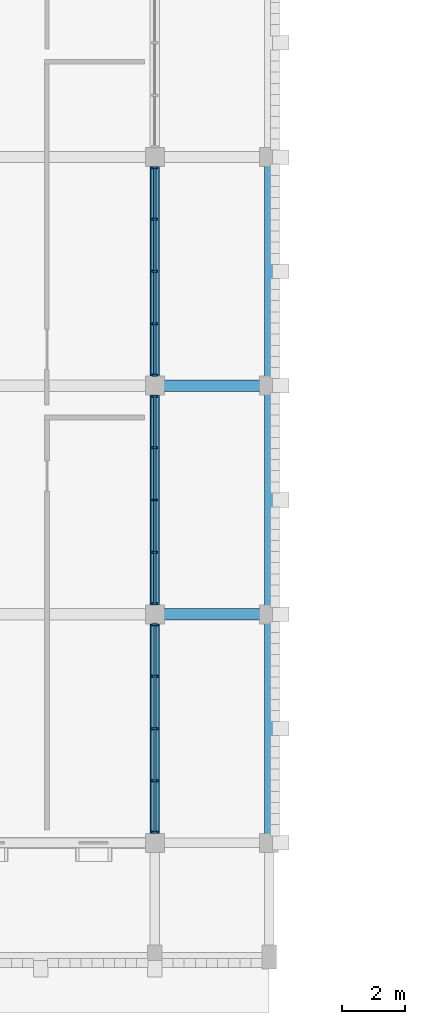
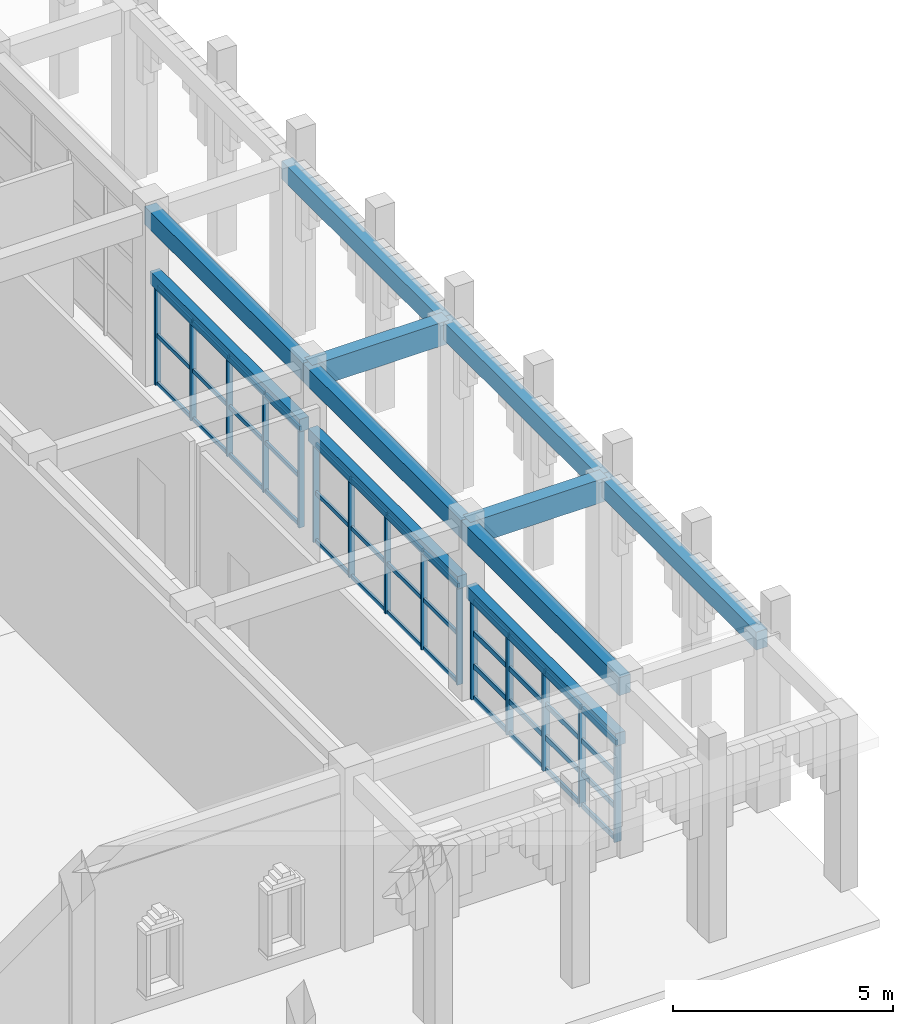
# One storey, part 3 of 72: 55 members, 11 beams, 3 elements without a shape of their own.
"""IFC4 building model written with IfcOpenShell, lengths in metres."""

from ifc_helpers import new_model, si_unit, direction, frame, origin, origin_2d, place, context, subcontext, project, spatial, rectangle, extrude, material, material_profile, profile_set, type_object, element, aggregate, save


model = new_model("IFC4")

# Units and contexts
model_context = context("Model", 3, precision=1e-05, world=origin(), true_north=direction((0.0, 1.0)))
body_context = subcontext(model_context, "Body", "Model", "MODEL_VIEW")
ifc_project = project(units=[si_unit("LENGTHUNIT", "METRE"), si_unit("AREAUNIT", "SQUARE_METRE"), si_unit("VOLUMEUNIT", "CUBIC_METRE"), si_unit("PLANEANGLEUNIT", "RADIAN"), si_unit("MASSUNIT", "GRAM", prefix="KILO")], contexts=[model_context])

# Site, building, storey
site_placement = place(None, origin())
site = spatial("IfcSite", under=ifc_project, at=site_placement, CompositionType="ELEMENT")
building_placement = place(site_placement, origin())
building = spatial("IfcBuilding", under=site, at=building_placement, Name="Nzembalo Square Collegiate School", CompositionType="ELEMENT")
storey_placement = place(building_placement, origin())
storey = spatial("IfcBuildingStorey", under=building, at=storey_placement, Name="L00", CompositionType="ELEMENT", Elevation=0.0)

# Beams
ifc_material_1 = material(Name="Concrete C35/45", Category="concrete")
ifc_material_profile_1 = material_profile(ifc_material_1, rectangle(XDim=0.35009765625, YDim=0.64990234375, at=origin_2d()), Name="RC 350x650")
ifc_profile_set_1 = profile_set([ifc_material_profile_1], Name="Concrete C35/45")
beam_type_1 = type_object("IfcBeamType", Name="B01", PredefinedType="BEAM", material=ifc_profile_set_1)
for number, where, z_axis, x_axis, name in (
    (1, (37.199951171875, 15.60009765625, 4.465087890625), (1.0, 0.0, 0.0), (0.0, 1.0, 0.0), "Beam B01 L00"),
    (2, (37.199951171875, 22.800048828125, 4.465087890625), (1.0, 0.0, 0.0), (0.0, 1.0, 0.0), "Beam B01 L00"),
):
    element("IfcBeam", number, at=place(storey_placement, frame(where, z_axis=z_axis, x_axis=x_axis)), inside=storey, type_object=beam_type_1, Name=name, PredefinedType="BEAM", context=body_context, shape_type="SweptSolid", body=[
        extrude(rectangle(XDim=0.35009765625, YDim=0.64990234375, at=origin_2d()), origin(), (0.0, 0.0, 1.0), 3.60009765625),
    ])
ifc_material_2 = material(Name="Concrete C35/45", Category="concrete")
ifc_material_profile_2 = material_profile(ifc_material_2, rectangle(XDim=0.300048828125, YDim=0.5, at=origin_2d()), Name="RC 300x500")
ifc_profile_set_2 = profile_set([ifc_material_profile_2], Name="Concrete C35/45")
beam_type_2 = type_object("IfcBeamType", Name="B02", PredefinedType="BEAM", material=ifc_profile_set_2)
beam_1_placement = place(storey_placement, frame((40.800048828125, 8.39990234375, 4.5400390625), z_axis=(0.0, 1.0, 0.0), x_axis=(-1.0, 0.0, 0.0)))
element("IfcBeam", 3, at=beam_1_placement, inside=storey, type_object=beam_type_2, Name="Beam B02 L00", PredefinedType="BEAM", context=body_context, shape_type="SweptSolid", body=[
    extrude(rectangle(XDim=0.300048828125, YDim=0.5, at=origin_2d()), origin(), (0.0, 0.0, 1.0), 7.2001953125),
])
for number, where, z_axis, x_axis, name in (
    (4, (40.800048828125, 15.60009765625, 4.5400390625), (0.0, 1.0, 0.0), (-1.0, 0.0, 0.0), "Beam B02 L00"),
    (5, (40.800048828125, 22.800048828125, 4.5400390625), (0.0, 1.0, 0.0), (-1.0, 0.0, 0.0), "Beam B02 L00"),
):
    element("IfcBeam", number, at=place(storey_placement, frame(where, z_axis=z_axis, x_axis=x_axis)), inside=storey, type_object=beam_type_2, Name=name, PredefinedType="BEAM", context=body_context, shape_type="SweptSolid", body=[
        extrude(rectangle(XDim=0.300048828125, YDim=0.5, at=origin_2d()), origin(), (0.0, 0.0, 1.0), 7.199951171875),
    ])
ifc_material_3 = material(Name="Concrete C35/45", Category="concrete")
ifc_material_profile_3 = material_profile(ifc_material_3, rectangle(XDim=0.25, YDim=0.35009765625, at=origin_2d()), Name="RC 250x350")
ifc_profile_set_3 = profile_set([ifc_material_profile_3], Name="Concrete C35/45")
beam_type_3 = type_object("IfcBeamType", Name="LN01", PredefinedType="LINTEL", material=ifc_profile_set_3)
beam_2_placement = place(storey_placement, frame((37.199951171875, 8.60009765625, 2.925048828125), z_axis=(0.0, 1.0, 0.0), x_axis=(-1.0, 0.0, 0.0)))
element("IfcBeam", 6, at=beam_2_placement, inside=storey, type_object=beam_type_3, Name="Opening lintel LN01-01", PredefinedType="LINTEL", context=body_context, shape_type="SweptSolid", body=[
    extrude(rectangle(XDim=0.25, YDim=0.35009765625, at=origin_2d()), origin(), (0.0, 0.0, 1.0), 6.7998046875),
])
for number, where, z_axis, x_axis, name in (
    (7, (37.199951171875, 15.800048828125, 2.925048828125), (0.0, 1.0, 0.0), (-1.0, 0.0, 0.0), "Opening lintel LN01-02"),
    (8, (37.199951171875, 23.0, 2.925048828125), (0.0, 1.0, 0.0), (-1.0, 0.0, 0.0), "Opening lintel LN01-03"),
):
    element("IfcBeam", number, at=place(storey_placement, frame(where, z_axis=z_axis, x_axis=x_axis)), inside=storey, type_object=beam_type_3, Name=name, PredefinedType="LINTEL", context=body_context, shape_type="SweptSolid", body=[
        extrude(rectangle(XDim=0.25, YDim=0.35009765625, at=origin_2d()), origin(), (0.0, 0.0, 1.0), 6.800048828125),
    ])
ifc_material_4 = material(Name="Concrete C35/45", Category="concrete")
ifc_material_profile_4 = material_profile(ifc_material_4, rectangle(XDim=0.300048828125, YDim=0.5, at=origin_2d()), Name="RC 300x500")
ifc_profile_set_4 = profile_set([ifc_material_profile_4], Name="Concrete C35/45")
beam_type_4 = type_object("IfcBeamType", Name="SP01", PredefinedType="SPANDREL", material=ifc_profile_set_4)
beam_3_placement = place(storey_placement, frame((37.199951171875, 8.39990234375, 4.5400390625), z_axis=(0.0, 1.0, 0.0), x_axis=(-1.0, 0.0, 0.0)))
element("IfcBeam", 9, at=beam_3_placement, inside=storey, type_object=beam_type_4, Name="Beam SP01 L00", PredefinedType="SPANDREL", context=body_context, shape_type="SweptSolid", body=[
    extrude(rectangle(XDim=0.300048828125, YDim=0.5, at=origin_2d()), origin(), (0.0, 0.0, 1.0), 7.2001953125),
])
for number, where, z_axis, x_axis, name in (
    (10, (37.199951171875, 15.60009765625, 4.5400390625), (0.0, 1.0, 0.0), (-1.0, 0.0, 0.0), "Beam SP01 L00"),
    (11, (37.199951171875, 22.800048828125, 4.5400390625), (0.0, 1.0, 0.0), (-1.0, 0.0, 0.0), "Beam SP01 L00"),
):
    element("IfcBeam", number, at=place(storey_placement, frame(where, z_axis=z_axis, x_axis=x_axis)), inside=storey, type_object=beam_type_4, Name=name, PredefinedType="SPANDREL", context=body_context, shape_type="SweptSolid", body=[
        extrude(rectangle(XDim=0.300048828125, YDim=0.5, at=origin_2d()), origin(), (0.0, 0.0, 1.0), 7.199951171875),
    ])

# Curtain wall, members
ifc_material_5 = material(Name="Aluminium 6060-T66", Category="aluminium")
curtain_wall_type_1 = type_object("IfcCurtainWallType", Name="CW-02", PredefinedType="USERDEFINED", material=ifc_material_5)
curtain_wall_1_placement = place(storey_placement, origin())
curtain_wall_1 = element("IfcCurtainWall", 12, at=curtain_wall_1_placement, inside=storey, type_object=curtain_wall_type_1, Name="Curtain wall CW-02 cw:L00:001", ObjectType="UNITISED", PredefinedType="USERDEFINED")
ifc_material_6 = material(Name="Aluminium 6060-T66", Category="aluminium")
ifc_material_profile_5 = material_profile(ifc_material_6, rectangle(XDim=0.06005859375, YDim=0.179931640625, at=origin_2d()), Name="ALU M60x180")
ifc_profile_set_5 = profile_set([ifc_material_profile_5], Name="Aluminium 6060-T66")
member_type_1 = type_object("IfcMemberType", Name="ML01", PredefinedType="MULLION", material=ifc_profile_set_5)
member_1_placement = place(storey_placement, frame((37.199951171875, 8.73193359375, 0.0), z_axis=(0.0, 0.0, 1.0), x_axis=(0.0, 1.0, 0.0)))
member_1 = element("IfcMember", 13, at=member_1_placement, type_object=member_type_1, Name="ML01 mullion 1", PredefinedType="MULLION", context=body_context, shape_type="SweptSolid", body=[
    extrude(rectangle(XDim=0.06005859375, YDim=0.179931640625, at=origin_2d()), origin(), (0.0, 0.0, 1.0), 2.743896484375),
])
member_2_placement = place(storey_placement, frame((37.199951171875, 10.35107421875, 0.0), z_axis=(0.0, 0.0, 1.0), x_axis=(0.0, 1.0, 0.0)))
member_2 = element("IfcMember", 14, at=member_2_placement, type_object=member_type_1, Name="ML01 mullion 2", PredefinedType="MULLION", context=body_context, shape_type="SweptSolid", body=[
    extrude(rectangle(XDim=0.06005859375, YDim=0.179931640625, at=origin_2d()), origin(), (0.0, 0.0, 1.0), 2.743896484375),
])
member_3_placement = place(storey_placement, frame((37.199951171875, 12.0, 0.0), z_axis=(0.0, 0.0, 1.0), x_axis=(0.0, 1.0, 0.0)))
member_3 = element("IfcMember", 15, at=member_3_placement, type_object=member_type_1, Name="ML01 mullion 3", PredefinedType="MULLION", context=body_context, shape_type="SweptSolid", body=[
    extrude(rectangle(XDim=0.06005859375, YDim=0.179931640625, at=origin_2d()), origin(), (0.0, 0.0, 1.0), 2.743896484375),
])
member_4_placement = place(storey_placement, frame((37.199951171875, 13.64892578125, 0.0), z_axis=(0.0, 0.0, 1.0), x_axis=(0.0, 1.0, 0.0)))
member_4 = element("IfcMember", 16, at=member_4_placement, type_object=member_type_1, Name="ML01 mullion 4", PredefinedType="MULLION", context=body_context, shape_type="SweptSolid", body=[
    extrude(rectangle(XDim=0.06005859375, YDim=0.179931640625, at=origin_2d()), origin(), (0.0, 0.0, 1.0), 2.743896484375),
])
member_5_placement = place(storey_placement, frame((37.199951171875, 15.26806640625, 0.0), z_axis=(0.0, 0.0, 1.0), x_axis=(0.0, 1.0, 0.0)))
member_5 = element("IfcMember", 17, at=member_5_placement, type_object=member_type_1, Name="ML01 mullion 5", PredefinedType="MULLION", context=body_context, shape_type="SweptSolid", body=[
    extrude(rectangle(XDim=0.06005859375, YDim=0.179931640625, at=origin_2d()), origin(), (0.0, 0.0, 1.0), 2.743896484375),
])

ifc_material_7 = material(Name="Aluminium 6060-T66", Category="aluminium")
curtain_wall_type_2 = type_object("IfcCurtainWallType", Name="CW-03", PredefinedType="USERDEFINED", material=ifc_material_7)
curtain_wall_2_placement = place(storey_placement, origin())
curtain_wall_2 = element("IfcCurtainWall", 18, at=curtain_wall_2_placement, inside=storey, type_object=curtain_wall_type_2, Name="Curtain wall CW-03 cw:L00:002", ObjectType="UNITISED", PredefinedType="USERDEFINED")
ifc_material_8 = material(Name="Aluminium 6060-T66", Category="aluminium")
ifc_material_profile_6 = material_profile(ifc_material_8, rectangle(XDim=0.06005859375, YDim=0.14990234375, at=origin_2d()), Name="ALU M60x150")
ifc_profile_set_6 = profile_set([ifc_material_profile_6], Name="Aluminium 6060-T66")
member_type_2 = type_object("IfcMemberType", Name="ML02", PredefinedType="MULLION", material=ifc_profile_set_6)
member_6_placement = place(storey_placement, frame((37.199951171875, 15.931884765625, 0.0), z_axis=(0.0, 0.0, 1.0), x_axis=(0.0, 1.0, 0.0)))
member_6 = element("IfcMember", 19, at=member_6_placement, type_object=member_type_2, Name="ML02 mullion 1", PredefinedType="MULLION", context=body_context, shape_type="SweptSolid", body=[
    extrude(rectangle(XDim=0.06005859375, YDim=0.14990234375, at=origin_2d()), origin(), (0.0, 0.0, 1.0), 2.743896484375),
])
member_7_placement = place(storey_placement, frame((37.199951171875, 17.551025390625, 0.0), z_axis=(0.0, 0.0, 1.0), x_axis=(0.0, 1.0, 0.0)))
member_7 = element("IfcMember", 20, at=member_7_placement, type_object=member_type_2, Name="ML02 mullion 2", PredefinedType="MULLION", context=body_context, shape_type="SweptSolid", body=[
    extrude(rectangle(XDim=0.06005859375, YDim=0.14990234375, at=origin_2d()), origin(), (0.0, 0.0, 1.0), 2.743896484375),
])
member_8_placement = place(storey_placement, frame((37.199951171875, 19.199951171875, 0.0), z_axis=(0.0, 0.0, 1.0), x_axis=(0.0, 1.0, 0.0)))
member_8 = element("IfcMember", 21, at=member_8_placement, type_object=member_type_2, Name="ML02 mullion 3", PredefinedType="MULLION", context=body_context, shape_type="SweptSolid", body=[
    extrude(rectangle(XDim=0.06005859375, YDim=0.14990234375, at=origin_2d()), origin(), (0.0, 0.0, 1.0), 2.743896484375),
])
member_9_placement = place(storey_placement, frame((37.199951171875, 20.84912109375, 0.0), z_axis=(0.0, 0.0, 1.0), x_axis=(0.0, 1.0, 0.0)))
member_9 = element("IfcMember", 22, at=member_9_placement, type_object=member_type_2, Name="ML02 mullion 4", PredefinedType="MULLION", context=body_context, shape_type="SweptSolid", body=[
    extrude(rectangle(XDim=0.06005859375, YDim=0.14990234375, at=origin_2d()), origin(), (0.0, 0.0, 1.0), 2.743896484375),
])
member_10_placement = place(storey_placement, frame((37.199951171875, 22.468017578125, 0.0), z_axis=(0.0, 0.0, 1.0), x_axis=(0.0, 1.0, 0.0)))
member_10 = element("IfcMember", 23, at=member_10_placement, type_object=member_type_2, Name="ML02 mullion 5", PredefinedType="MULLION", context=body_context, shape_type="SweptSolid", body=[
    extrude(rectangle(XDim=0.06005859375, YDim=0.14990234375, at=origin_2d()), origin(), (0.0, 0.0, 1.0), 2.743896484375),
])

ifc_material_9 = material(Name="Aluminium 6060-T66", Category="aluminium")
curtain_wall_type_3 = type_object("IfcCurtainWallType", Name="CW-04", PredefinedType="USERDEFINED", material=ifc_material_9)
curtain_wall_3_placement = place(storey_placement, origin())
curtain_wall_3 = element("IfcCurtainWall", 24, at=curtain_wall_3_placement, inside=storey, type_object=curtain_wall_type_3, Name="Curtain wall CW-04 cw:L00:003", ObjectType="UNITISED", PredefinedType="USERDEFINED")
member_11_placement = place(storey_placement, frame((37.199951171875, 23.132080078125, 0.0), z_axis=(0.0, 0.0, 1.0), x_axis=(0.0, 1.0, 0.0)))
member_11 = element("IfcMember", 25, at=member_11_placement, type_object=member_type_2, Name="ML02 mullion 1", PredefinedType="MULLION", context=body_context, shape_type="SweptSolid", body=[
    extrude(rectangle(XDim=0.06005859375, YDim=0.14990234375, at=origin_2d()), origin(), (0.0, 0.0, 1.0), 2.743896484375),
])
member_12_placement = place(storey_placement, frame((37.199951171875, 24.7509765625, 0.0), z_axis=(0.0, 0.0, 1.0), x_axis=(0.0, 1.0, 0.0)))
member_12 = element("IfcMember", 26, at=member_12_placement, type_object=member_type_2, Name="ML02 mullion 2", PredefinedType="MULLION", context=body_context, shape_type="SweptSolid", body=[
    extrude(rectangle(XDim=0.06005859375, YDim=0.14990234375, at=origin_2d()), origin(), (0.0, 0.0, 1.0), 2.743896484375),
])
member_13_placement = place(storey_placement, frame((37.199951171875, 26.39990234375, 0.0), z_axis=(0.0, 0.0, 1.0), x_axis=(0.0, 1.0, 0.0)))
member_13 = element("IfcMember", 27, at=member_13_placement, type_object=member_type_2, Name="ML02 mullion 3", PredefinedType="MULLION", context=body_context, shape_type="SweptSolid", body=[
    extrude(rectangle(XDim=0.06005859375, YDim=0.14990234375, at=origin_2d()), origin(), (0.0, 0.0, 1.0), 2.743896484375),
])
member_14_placement = place(storey_placement, frame((37.199951171875, 28.049072265625, 0.0), z_axis=(0.0, 0.0, 1.0), x_axis=(0.0, 1.0, 0.0)))
member_14 = element("IfcMember", 28, at=member_14_placement, type_object=member_type_2, Name="ML02 mullion 4", PredefinedType="MULLION", context=body_context, shape_type="SweptSolid", body=[
    extrude(rectangle(XDim=0.06005859375, YDim=0.14990234375, at=origin_2d()), origin(), (0.0, 0.0, 1.0), 2.743896484375),
])
member_15_placement = place(storey_placement, frame((37.199951171875, 29.66796875, 0.0), z_axis=(0.0, 0.0, 1.0), x_axis=(0.0, 1.0, 0.0)))
member_15 = element("IfcMember", 29, at=member_15_placement, type_object=member_type_2, Name="ML02 mullion 5", PredefinedType="MULLION", context=body_context, shape_type="SweptSolid", body=[
    extrude(rectangle(XDim=0.06005859375, YDim=0.14990234375, at=origin_2d()), origin(), (0.0, 0.0, 1.0), 2.743896484375),
])

# Member
ifc_material_10 = material(Name="Aluminium 6060-T66", Category="aluminium")
ifc_material_profile_7 = material_profile(ifc_material_10, rectangle(XDim=0.06005859375, YDim=0.139892578125, at=origin_2d()), Name="ALU T60x140")
ifc_profile_set_7 = profile_set([ifc_material_profile_7], Name="Aluminium 6060-T66")
member_type_3 = type_object("IfcMemberType", Name="TR01", PredefinedType="USERDEFINED", material=ifc_profile_set_7)
member_16_placement = place(storey_placement, frame((37.199951171875, 8.761962890625, 0.030029296875), z_axis=(0.0, 1.0, 0.0), x_axis=(-1.0, 0.0, 0.0)))
member_16 = element("IfcMember", 30, at=member_16_placement, type_object=member_type_3, Name="TR01 transom 1-1", ObjectType="TRANSOM", PredefinedType="USERDEFINED", context=body_context, shape_type="SweptSolid", body=[
    extrude(rectangle(XDim=0.06005859375, YDim=0.139892578125, at=origin_2d()), origin(), (0.0, 0.0, 1.0), 1.55908203125),
])

member_17_placement = place(storey_placement, frame((37.199951171875, 10.381103515625, 0.030029296875), z_axis=(0.0, 1.0, 0.0), x_axis=(-1.0, 0.0, 0.0)))
member_17 = element("IfcMember", 31, at=member_17_placement, type_object=member_type_3, Name="TR01 transom 1-2", ObjectType="TRANSOM", PredefinedType="USERDEFINED", context=body_context, shape_type="SweptSolid", body=[
    extrude(rectangle(XDim=0.06005859375, YDim=0.139892578125, at=origin_2d()), origin(), (0.0, 0.0, 1.0), 1.5888671875),
])

member_18_placement = place(storey_placement, frame((37.199951171875, 12.030029296875, 0.030029296875), z_axis=(0.0, 1.0, 0.0), x_axis=(-1.0, 0.0, 0.0)))
member_18 = element("IfcMember", 32, at=member_18_placement, type_object=member_type_3, Name="TR01 transom 1-3", ObjectType="TRANSOM", PredefinedType="USERDEFINED", context=body_context, shape_type="SweptSolid", body=[
    extrude(rectangle(XDim=0.06005859375, YDim=0.139892578125, at=origin_2d()), origin(), (0.0, 0.0, 1.0), 1.5888671875),
])

member_19_placement = place(storey_placement, frame((37.199951171875, 13.678955078125, 0.030029296875), z_axis=(0.0, 1.0, 0.0), x_axis=(-1.0, 0.0, 0.0)))
member_19 = element("IfcMember", 33, at=member_19_placement, type_object=member_type_3, Name="TR01 transom 1-4", ObjectType="TRANSOM", PredefinedType="USERDEFINED", context=body_context, shape_type="SweptSolid", body=[
    extrude(rectangle(XDim=0.06005859375, YDim=0.139892578125, at=origin_2d()), origin(), (0.0, 0.0, 1.0), 1.55908203125),
])

member_20_placement = place(storey_placement, frame((37.199951171875, 8.761962890625, 0.91455078125), z_axis=(0.0, 1.0, 0.0), x_axis=(-1.0, 0.0, 0.0)))
member_20 = element("IfcMember", 34, at=member_20_placement, type_object=member_type_3, Name="TR01 transom 2-1", ObjectType="TRANSOM", PredefinedType="USERDEFINED", context=body_context, shape_type="SweptSolid", body=[
    extrude(rectangle(XDim=0.06005859375, YDim=0.139892578125, at=origin_2d()), origin(), (0.0, 0.0, 1.0), 1.55908203125),
])

member_21_placement = place(storey_placement, frame((37.199951171875, 10.381103515625, 0.91455078125), z_axis=(0.0, 1.0, 0.0), x_axis=(-1.0, 0.0, 0.0)))
member_21 = element("IfcMember", 35, at=member_21_placement, type_object=member_type_3, Name="TR01 transom 2-2", ObjectType="TRANSOM", PredefinedType="USERDEFINED", context=body_context, shape_type="SweptSolid", body=[
    extrude(rectangle(XDim=0.06005859375, YDim=0.139892578125, at=origin_2d()), origin(), (0.0, 0.0, 1.0), 1.5888671875),
])

member_22_placement = place(storey_placement, frame((37.199951171875, 12.030029296875, 0.91455078125), z_axis=(0.0, 1.0, 0.0), x_axis=(-1.0, 0.0, 0.0)))
member_22 = element("IfcMember", 36, at=member_22_placement, type_object=member_type_3, Name="TR01 transom 2-3", ObjectType="TRANSOM", PredefinedType="USERDEFINED", context=body_context, shape_type="SweptSolid", body=[
    extrude(rectangle(XDim=0.06005859375, YDim=0.139892578125, at=origin_2d()), origin(), (0.0, 0.0, 1.0), 1.5888671875),
])

member_23_placement = place(storey_placement, frame((37.199951171875, 13.678955078125, 0.91455078125), z_axis=(0.0, 1.0, 0.0), x_axis=(-1.0, 0.0, 0.0)))
member_23 = element("IfcMember", 37, at=member_23_placement, type_object=member_type_3, Name="TR01 transom 2-4", ObjectType="TRANSOM", PredefinedType="USERDEFINED", context=body_context, shape_type="SweptSolid", body=[
    extrude(rectangle(XDim=0.06005859375, YDim=0.139892578125, at=origin_2d()), origin(), (0.0, 0.0, 1.0), 1.55908203125),
])

member_24_placement = place(storey_placement, frame((37.199951171875, 8.761962890625, 1.829345703125), z_axis=(0.0, 1.0, 0.0), x_axis=(-1.0, 0.0, 0.0)))
member_24 = element("IfcMember", 38, at=member_24_placement, type_object=member_type_3, Name="TR01 transom 3-1", ObjectType="TRANSOM", PredefinedType="USERDEFINED", context=body_context, shape_type="SweptSolid", body=[
    extrude(rectangle(XDim=0.06005859375, YDim=0.139892578125, at=origin_2d()), origin(), (0.0, 0.0, 1.0), 1.55908203125),
])

member_25_placement = place(storey_placement, frame((37.199951171875, 10.381103515625, 1.829345703125), z_axis=(0.0, 1.0, 0.0), x_axis=(-1.0, 0.0, 0.0)))
member_25 = element("IfcMember", 39, at=member_25_placement, type_object=member_type_3, Name="TR01 transom 3-2", ObjectType="TRANSOM", PredefinedType="USERDEFINED", context=body_context, shape_type="SweptSolid", body=[
    extrude(rectangle(XDim=0.06005859375, YDim=0.139892578125, at=origin_2d()), origin(), (0.0, 0.0, 1.0), 1.5888671875),
])

member_26_placement = place(storey_placement, frame((37.199951171875, 12.030029296875, 1.829345703125), z_axis=(0.0, 1.0, 0.0), x_axis=(-1.0, 0.0, 0.0)))
member_26 = element("IfcMember", 40, at=member_26_placement, type_object=member_type_3, Name="TR01 transom 3-3", ObjectType="TRANSOM", PredefinedType="USERDEFINED", context=body_context, shape_type="SweptSolid", body=[
    extrude(rectangle(XDim=0.06005859375, YDim=0.139892578125, at=origin_2d()), origin(), (0.0, 0.0, 1.0), 1.5888671875),
])

member_27_placement = place(storey_placement, frame((37.199951171875, 13.678955078125, 1.829345703125), z_axis=(0.0, 1.0, 0.0), x_axis=(-1.0, 0.0, 0.0)))
member_27 = element("IfcMember", 41, at=member_27_placement, type_object=member_type_3, Name="TR01 transom 3-4", ObjectType="TRANSOM", PredefinedType="USERDEFINED", context=body_context, shape_type="SweptSolid", body=[
    extrude(rectangle(XDim=0.06005859375, YDim=0.139892578125, at=origin_2d()), origin(), (0.0, 0.0, 1.0), 1.55908203125),
])

member_28_placement = place(storey_placement, frame((37.199951171875, 8.761962890625, 2.714111328125), z_axis=(0.0, 1.0, 0.0), x_axis=(-1.0, 0.0, 0.0)))
member_28 = element("IfcMember", 42, at=member_28_placement, type_object=member_type_3, Name="TR01 transom 4-1", ObjectType="TRANSOM", PredefinedType="USERDEFINED", context=body_context, shape_type="SweptSolid", body=[
    extrude(rectangle(XDim=0.06005859375, YDim=0.139892578125, at=origin_2d()), origin(), (0.0, 0.0, 1.0), 1.55908203125),
])

member_29_placement = place(storey_placement, frame((37.199951171875, 10.381103515625, 2.714111328125), z_axis=(0.0, 1.0, 0.0), x_axis=(-1.0, 0.0, 0.0)))
member_29 = element("IfcMember", 43, at=member_29_placement, type_object=member_type_3, Name="TR01 transom 4-2", ObjectType="TRANSOM", PredefinedType="USERDEFINED", context=body_context, shape_type="SweptSolid", body=[
    extrude(rectangle(XDim=0.06005859375, YDim=0.139892578125, at=origin_2d()), origin(), (0.0, 0.0, 1.0), 1.5888671875),
])

member_30_placement = place(storey_placement, frame((37.199951171875, 12.030029296875, 2.714111328125), z_axis=(0.0, 1.0, 0.0), x_axis=(-1.0, 0.0, 0.0)))
member_30 = element("IfcMember", 44, at=member_30_placement, type_object=member_type_3, Name="TR01 transom 4-3", ObjectType="TRANSOM", PredefinedType="USERDEFINED", context=body_context, shape_type="SweptSolid", body=[
    extrude(rectangle(XDim=0.06005859375, YDim=0.139892578125, at=origin_2d()), origin(), (0.0, 0.0, 1.0), 1.5888671875),
])

member_31_placement = place(storey_placement, frame((37.199951171875, 13.678955078125, 2.714111328125), z_axis=(0.0, 1.0, 0.0), x_axis=(-1.0, 0.0, 0.0)))
member_31 = element("IfcMember", 45, at=member_31_placement, type_object=member_type_3, Name="TR01 transom 4-4", ObjectType="TRANSOM", PredefinedType="USERDEFINED", context=body_context, shape_type="SweptSolid", body=[
    extrude(rectangle(XDim=0.06005859375, YDim=0.139892578125, at=origin_2d()), origin(), (0.0, 0.0, 1.0), 1.55908203125),
])

aggregate(curtain_wall_1, [member_1, member_2, member_3, member_4, member_5, member_16, member_17, member_18, member_19, member_20, member_21, member_22, member_23, member_24, member_25, member_26, member_27, member_28, member_29, member_30, member_31])

ifc_material_11 = material(Name="Aluminium 6060-T66", Category="aluminium")
ifc_material_profile_8 = material_profile(ifc_material_11, rectangle(XDim=0.06005859375, YDim=0.110107421875, at=origin_2d()), Name="ALU T60x110")
ifc_profile_set_8 = profile_set([ifc_material_profile_8], Name="Aluminium 6060-T66")
member_type_4 = type_object("IfcMemberType", Name="TR02", PredefinedType="USERDEFINED", material=ifc_profile_set_8)
member_32_placement = place(storey_placement, frame((37.199951171875, 15.9619140625, 0.030029296875), z_axis=(0.0, 1.0, 0.0), x_axis=(-1.0, 0.0, 0.0)))
member_32 = element("IfcMember", 46, at=member_32_placement, type_object=member_type_4, Name="TR02 transom 1-1", ObjectType="TRANSOM", PredefinedType="USERDEFINED", context=body_context, shape_type="SweptSolid", body=[
    extrude(rectangle(XDim=0.06005859375, YDim=0.110107421875, at=origin_2d()), origin(), (0.0, 0.0, 1.0), 1.55908203125),
])

member_33_placement = place(storey_placement, frame((37.199951171875, 17.5810546875, 0.030029296875), z_axis=(0.0, 1.0, 0.0), x_axis=(-1.0, 0.0, 0.0)))
member_33 = element("IfcMember", 47, at=member_33_placement, type_object=member_type_4, Name="TR02 transom 1-2", ObjectType="TRANSOM", PredefinedType="USERDEFINED", context=body_context, shape_type="SweptSolid", body=[
    extrude(rectangle(XDim=0.06005859375, YDim=0.110107421875, at=origin_2d()), origin(), (0.0, 0.0, 1.0), 1.5888671875),
])

member_34_placement = place(storey_placement, frame((37.199951171875, 19.22998046875, 0.030029296875), z_axis=(0.0, 1.0, 0.0), x_axis=(-1.0, 0.0, 0.0)))
member_34 = element("IfcMember", 48, at=member_34_placement, type_object=member_type_4, Name="TR02 transom 1-3", ObjectType="TRANSOM", PredefinedType="USERDEFINED", context=body_context, shape_type="SweptSolid", body=[
    extrude(rectangle(XDim=0.06005859375, YDim=0.110107421875, at=origin_2d()), origin(), (0.0, 0.0, 1.0), 1.589111328125),
])

member_35_placement = place(storey_placement, frame((37.199951171875, 20.87890625, 0.030029296875), z_axis=(0.0, 1.0, 0.0), x_axis=(-1.0, 0.0, 0.0)))
member_35 = element("IfcMember", 49, at=member_35_placement, type_object=member_type_4, Name="TR02 transom 1-4", ObjectType="TRANSOM", PredefinedType="USERDEFINED", context=body_context, shape_type="SweptSolid", body=[
    extrude(rectangle(XDim=0.06005859375, YDim=0.110107421875, at=origin_2d()), origin(), (0.0, 0.0, 1.0), 1.55908203125),
])

member_36_placement = place(storey_placement, frame((37.199951171875, 15.9619140625, 1.3720703125), z_axis=(0.0, 1.0, 0.0), x_axis=(-1.0, 0.0, 0.0)))
member_36 = element("IfcMember", 50, at=member_36_placement, type_object=member_type_4, Name="TR02 transom 2-1", ObjectType="TRANSOM", PredefinedType="USERDEFINED", context=body_context, shape_type="SweptSolid", body=[
    extrude(rectangle(XDim=0.06005859375, YDim=0.110107421875, at=origin_2d()), origin(), (0.0, 0.0, 1.0), 1.55908203125),
])

member_37_placement = place(storey_placement, frame((37.199951171875, 17.5810546875, 1.3720703125), z_axis=(0.0, 1.0, 0.0), x_axis=(-1.0, 0.0, 0.0)))
member_37 = element("IfcMember", 51, at=member_37_placement, type_object=member_type_4, Name="TR02 transom 2-2", ObjectType="TRANSOM", PredefinedType="USERDEFINED", context=body_context, shape_type="SweptSolid", body=[
    extrude(rectangle(XDim=0.06005859375, YDim=0.110107421875, at=origin_2d()), origin(), (0.0, 0.0, 1.0), 1.5888671875),
])

member_38_placement = place(storey_placement, frame((37.199951171875, 19.22998046875, 1.3720703125), z_axis=(0.0, 1.0, 0.0), x_axis=(-1.0, 0.0, 0.0)))
member_38 = element("IfcMember", 52, at=member_38_placement, type_object=member_type_4, Name="TR02 transom 2-3", ObjectType="TRANSOM", PredefinedType="USERDEFINED", context=body_context, shape_type="SweptSolid", body=[
    extrude(rectangle(XDim=0.06005859375, YDim=0.110107421875, at=origin_2d()), origin(), (0.0, 0.0, 1.0), 1.589111328125),
])

member_39_placement = place(storey_placement, frame((37.199951171875, 20.87890625, 1.3720703125), z_axis=(0.0, 1.0, 0.0), x_axis=(-1.0, 0.0, 0.0)))
member_39 = element("IfcMember", 53, at=member_39_placement, type_object=member_type_4, Name="TR02 transom 2-4", ObjectType="TRANSOM", PredefinedType="USERDEFINED", context=body_context, shape_type="SweptSolid", body=[
    extrude(rectangle(XDim=0.06005859375, YDim=0.110107421875, at=origin_2d()), origin(), (0.0, 0.0, 1.0), 1.55908203125),
])

member_40_placement = place(storey_placement, frame((37.199951171875, 15.9619140625, 2.714111328125), z_axis=(0.0, 1.0, 0.0), x_axis=(-1.0, 0.0, 0.0)))
member_40 = element("IfcMember", 54, at=member_40_placement, type_object=member_type_4, Name="TR02 transom 3-1", ObjectType="TRANSOM", PredefinedType="USERDEFINED", context=body_context, shape_type="SweptSolid", body=[
    extrude(rectangle(XDim=0.06005859375, YDim=0.110107421875, at=origin_2d()), origin(), (0.0, 0.0, 1.0), 1.55908203125),
])

member_41_placement = place(storey_placement, frame((37.199951171875, 17.5810546875, 2.714111328125), z_axis=(0.0, 1.0, 0.0), x_axis=(-1.0, 0.0, 0.0)))
member_41 = element("IfcMember", 55, at=member_41_placement, type_object=member_type_4, Name="TR02 transom 3-2", ObjectType="TRANSOM", PredefinedType="USERDEFINED", context=body_context, shape_type="SweptSolid", body=[
    extrude(rectangle(XDim=0.06005859375, YDim=0.110107421875, at=origin_2d()), origin(), (0.0, 0.0, 1.0), 1.5888671875),
])

member_42_placement = place(storey_placement, frame((37.199951171875, 19.22998046875, 2.714111328125), z_axis=(0.0, 1.0, 0.0), x_axis=(-1.0, 0.0, 0.0)))
member_42 = element("IfcMember", 56, at=member_42_placement, type_object=member_type_4, Name="TR02 transom 3-3", ObjectType="TRANSOM", PredefinedType="USERDEFINED", context=body_context, shape_type="SweptSolid", body=[
    extrude(rectangle(XDim=0.06005859375, YDim=0.110107421875, at=origin_2d()), origin(), (0.0, 0.0, 1.0), 1.589111328125),
])

member_43_placement = place(storey_placement, frame((37.199951171875, 20.87890625, 2.714111328125), z_axis=(0.0, 1.0, 0.0), x_axis=(-1.0, 0.0, 0.0)))
member_43 = element("IfcMember", 57, at=member_43_placement, type_object=member_type_4, Name="TR02 transom 3-4", ObjectType="TRANSOM", PredefinedType="USERDEFINED", context=body_context, shape_type="SweptSolid", body=[
    extrude(rectangle(XDim=0.06005859375, YDim=0.110107421875, at=origin_2d()), origin(), (0.0, 0.0, 1.0), 1.55908203125),
])

aggregate(curtain_wall_2, [member_6, member_7, member_8, member_9, member_10, member_32, member_33, member_34, member_35, member_36, member_37, member_38, member_39, member_40, member_41, member_42, member_43])

member_44_placement = place(storey_placement, frame((37.199951171875, 23.162109375, 0.030029296875), z_axis=(0.0, 1.0, 0.0), x_axis=(-1.0, 0.0, 0.0)))
member_44 = element("IfcMember", 58, at=member_44_placement, type_object=member_type_4, Name="TR02 transom 1-1", ObjectType="TRANSOM", PredefinedType="USERDEFINED", context=body_context, shape_type="SweptSolid", body=[
    extrude(rectangle(XDim=0.06005859375, YDim=0.110107421875, at=origin_2d()), origin(), (0.0, 0.0, 1.0), 1.558837890625),
])

member_45_placement = place(storey_placement, frame((37.199951171875, 24.781005859375, 0.030029296875), z_axis=(0.0, 1.0, 0.0), x_axis=(-1.0, 0.0, 0.0)))
member_45 = element("IfcMember", 59, at=member_45_placement, type_object=member_type_4, Name="TR02 transom 1-2", ObjectType="TRANSOM", PredefinedType="USERDEFINED", context=body_context, shape_type="SweptSolid", body=[
    extrude(rectangle(XDim=0.06005859375, YDim=0.110107421875, at=origin_2d()), origin(), (0.0, 0.0, 1.0), 1.589111328125),
])

member_46_placement = place(storey_placement, frame((37.199951171875, 26.429931640625, 0.030029296875), z_axis=(0.0, 1.0, 0.0), x_axis=(-1.0, 0.0, 0.0)))
member_46 = element("IfcMember", 60, at=member_46_placement, type_object=member_type_4, Name="TR02 transom 1-3", ObjectType="TRANSOM", PredefinedType="USERDEFINED", context=body_context, shape_type="SweptSolid", body=[
    extrude(rectangle(XDim=0.06005859375, YDim=0.110107421875, at=origin_2d()), origin(), (0.0, 0.0, 1.0), 1.589111328125),
])

member_47_placement = place(storey_placement, frame((37.199951171875, 28.0791015625, 0.030029296875), z_axis=(0.0, 1.0, 0.0), x_axis=(-1.0, 0.0, 0.0)))
member_47 = element("IfcMember", 61, at=member_47_placement, type_object=member_type_4, Name="TR02 transom 1-4", ObjectType="TRANSOM", PredefinedType="USERDEFINED", context=body_context, shape_type="SweptSolid", body=[
    extrude(rectangle(XDim=0.06005859375, YDim=0.110107421875, at=origin_2d()), origin(), (0.0, 0.0, 1.0), 1.558837890625),
])

member_48_placement = place(storey_placement, frame((37.199951171875, 23.162109375, 1.3720703125), z_axis=(0.0, 1.0, 0.0), x_axis=(-1.0, 0.0, 0.0)))
member_48 = element("IfcMember", 62, at=member_48_placement, type_object=member_type_4, Name="TR02 transom 2-1", ObjectType="TRANSOM", PredefinedType="USERDEFINED", context=body_context, shape_type="SweptSolid", body=[
    extrude(rectangle(XDim=0.06005859375, YDim=0.110107421875, at=origin_2d()), origin(), (0.0, 0.0, 1.0), 1.558837890625),
])

member_49_placement = place(storey_placement, frame((37.199951171875, 24.781005859375, 1.3720703125), z_axis=(0.0, 1.0, 0.0), x_axis=(-1.0, 0.0, 0.0)))
member_49 = element("IfcMember", 63, at=member_49_placement, type_object=member_type_4, Name="TR02 transom 2-2", ObjectType="TRANSOM", PredefinedType="USERDEFINED", context=body_context, shape_type="SweptSolid", body=[
    extrude(rectangle(XDim=0.06005859375, YDim=0.110107421875, at=origin_2d()), origin(), (0.0, 0.0, 1.0), 1.589111328125),
])

member_50_placement = place(storey_placement, frame((37.199951171875, 26.429931640625, 1.3720703125), z_axis=(0.0, 1.0, 0.0), x_axis=(-1.0, 0.0, 0.0)))
member_50 = element("IfcMember", 64, at=member_50_placement, type_object=member_type_4, Name="TR02 transom 2-3", ObjectType="TRANSOM", PredefinedType="USERDEFINED", context=body_context, shape_type="SweptSolid", body=[
    extrude(rectangle(XDim=0.06005859375, YDim=0.110107421875, at=origin_2d()), origin(), (0.0, 0.0, 1.0), 1.589111328125),
])

member_51_placement = place(storey_placement, frame((37.199951171875, 28.0791015625, 1.3720703125), z_axis=(0.0, 1.0, 0.0), x_axis=(-1.0, 0.0, 0.0)))
member_51 = element("IfcMember", 65, at=member_51_placement, type_object=member_type_4, Name="TR02 transom 2-4", ObjectType="TRANSOM", PredefinedType="USERDEFINED", context=body_context, shape_type="SweptSolid", body=[
    extrude(rectangle(XDim=0.06005859375, YDim=0.110107421875, at=origin_2d()), origin(), (0.0, 0.0, 1.0), 1.558837890625),
])

member_52_placement = place(storey_placement, frame((37.199951171875, 23.162109375, 2.714111328125), z_axis=(0.0, 1.0, 0.0), x_axis=(-1.0, 0.0, 0.0)))
member_52 = element("IfcMember", 66, at=member_52_placement, type_object=member_type_4, Name="TR02 transom 3-1", ObjectType="TRANSOM", PredefinedType="USERDEFINED", context=body_context, shape_type="SweptSolid", body=[
    extrude(rectangle(XDim=0.06005859375, YDim=0.110107421875, at=origin_2d()), origin(), (0.0, 0.0, 1.0), 1.558837890625),
])

member_53_placement = place(storey_placement, frame((37.199951171875, 24.781005859375, 2.714111328125), z_axis=(0.0, 1.0, 0.0), x_axis=(-1.0, 0.0, 0.0)))
member_53 = element("IfcMember", 67, at=member_53_placement, type_object=member_type_4, Name="TR02 transom 3-2", ObjectType="TRANSOM", PredefinedType="USERDEFINED", context=body_context, shape_type="SweptSolid", body=[
    extrude(rectangle(XDim=0.06005859375, YDim=0.110107421875, at=origin_2d()), origin(), (0.0, 0.0, 1.0), 1.589111328125),
])

member_54_placement = place(storey_placement, frame((37.199951171875, 26.429931640625, 2.714111328125), z_axis=(0.0, 1.0, 0.0), x_axis=(-1.0, 0.0, 0.0)))
member_54 = element("IfcMember", 68, at=member_54_placement, type_object=member_type_4, Name="TR02 transom 3-3", ObjectType="TRANSOM", PredefinedType="USERDEFINED", context=body_context, shape_type="SweptSolid", body=[
    extrude(rectangle(XDim=0.06005859375, YDim=0.110107421875, at=origin_2d()), origin(), (0.0, 0.0, 1.0), 1.589111328125),
])

member_55_placement = place(storey_placement, frame((37.199951171875, 28.0791015625, 2.714111328125), z_axis=(0.0, 1.0, 0.0), x_axis=(-1.0, 0.0, 0.0)))
member_55 = element("IfcMember", 69, at=member_55_placement, type_object=member_type_4, Name="TR02 transom 3-4", ObjectType="TRANSOM", PredefinedType="USERDEFINED", context=body_context, shape_type="SweptSolid", body=[
    extrude(rectangle(XDim=0.06005859375, YDim=0.110107421875, at=origin_2d()), origin(), (0.0, 0.0, 1.0), 1.558837890625),
])

aggregate(curtain_wall_3, [member_11, member_12, member_13, member_14, member_15, member_44, member_45, member_46, member_47, member_48, member_49, member_50, member_51, member_52, member_53, member_54, member_55])

save(model, "model.ifc")
